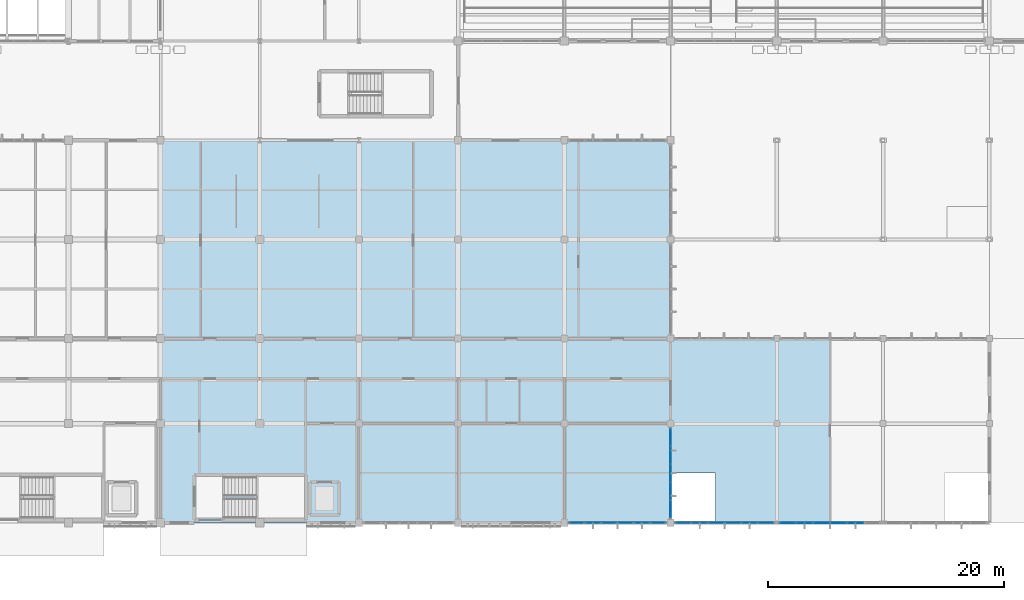
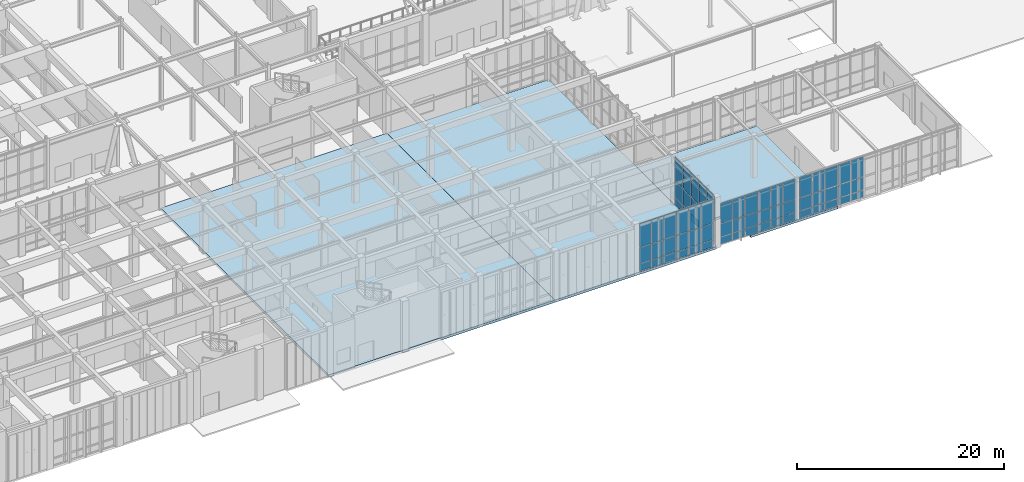
# One storey, part 61 of 110: 66 plates, 3 slabs, 4 elements without a shape of their own.
"""IFC4 building model written with IfcOpenShell, lengths in metres."""

from ifc_helpers import new_model, si_unit, direction, frame, origin, origin_2d, place, context, subcontext, project, spatial, polyline, rectangle, outline, extrude, material, layer, layer_set, type_object, element, aggregate, save


model = new_model("IFC4")

# Units and contexts
model_context = context("Model", 3, precision=1e-05, world=origin(), true_north=direction((0.0, 1.0)))
body_context = subcontext(model_context, "Body", "Model", "MODEL_VIEW")
ifc_project = project(units=[si_unit("LENGTHUNIT", "METRE"), si_unit("AREAUNIT", "SQUARE_METRE"), si_unit("VOLUMEUNIT", "CUBIC_METRE"), si_unit("PLANEANGLEUNIT", "RADIAN"), si_unit("MASSUNIT", "GRAM", prefix="KILO")], contexts=[model_context])

# Site, building, storey
site_placement = place(None, origin())
site = spatial("IfcSite", under=ifc_project, at=site_placement, CompositionType="ELEMENT")
building_placement = place(site_placement, origin())
building = spatial("IfcBuilding", under=site, at=building_placement, Name="Tizgana Railside Sports Hall", CompositionType="ELEMENT")
storey_placement = place(building_placement, origin())
storey = spatial("IfcBuildingStorey", under=building, at=storey_placement, Name="L00", CompositionType="ELEMENT", Elevation=0.0)

# Curtain wall, plates
ifc_material_1 = material(Name="Anodised aluminium and glass", Category="aluminium")
curtain_wall_type_1 = type_object("IfcCurtainWallType", Name="Unitised Curtain Wall Passage 1800", PredefinedType="NOTDEFINED", material=ifc_material_1)
curtain_wall_1_placement = place(storey_placement, origin())
curtain_wall_1 = element("IfcCurtainWall", 1, at=curtain_wall_1_placement, inside=storey, type_object=curtain_wall_type_1, Name="L00 Curtain Wall CW-0077", PredefinedType="NOTDEFINED")
ifc_material_2 = material(Name="Double low-E laminated glass", Category="glass")
ifc_layer_1 = layer(ifc_material_2, 0.033935546875, Name="Double low-E laminated glass")
ifc_layer_set_1 = layer_set([ifc_layer_1], Name="Double low-E laminated glass")
plate_type_1 = type_object("IfcPlateType", Name="Acoustic Laminated Glazing Panel 34", PredefinedType="CURTAIN_PANEL", material=ifc_layer_set_1)
plate_1_placement = place(storey_placement, frame((96.7353515625, 0.0, 0.10009765625), z_axis=(0.0, 0.0, 1.0), x_axis=(-1.0, 0.0, 0.0)))
plate_1 = element("IfcPlate", 2, at=plate_1_placement, type_object=plate_type_1, Name="CW-06 panel 1.1", PredefinedType="CURTAIN_PANEL", context=body_context, shape_type="SweptSolid", body=[
    extrude(rectangle(XDim=1.269287109375, YDim=0.033935546875, at=origin_2d()), origin(), (0.0, 0.0, 1.0), 0.8173828125),
])
plate_2_placement = place(storey_placement, frame((96.7353515625, 0.0, 0.972412109375), z_axis=(0.0, 0.0, 1.0), x_axis=(-1.0, 0.0, 0.0)))
plate_2 = element("IfcPlate", 3, at=plate_2_placement, type_object=plate_type_1, Name="CW-06 panel 1.2", PredefinedType="CURTAIN_PANEL", context=body_context, shape_type="SweptSolid", body=[
    extrude(rectangle(XDim=1.269287109375, YDim=0.033935546875, at=origin_2d()), origin(), (0.0, 0.0, 1.0), 1.8974609375),
])
plate_3_placement = place(storey_placement, frame((96.7353515625, 0.0, 2.925048828125), z_axis=(0.0, 0.0, 1.0), x_axis=(-1.0, 0.0, 0.0)))
plate_3 = element("IfcPlate", 4, at=plate_3_placement, type_object=plate_type_1, Name="CW-06 panel 1.3", PredefinedType="CURTAIN_PANEL", context=body_context, shape_type="SweptSolid", body=[
    extrude(rectangle(XDim=1.269287109375, YDim=0.033935546875, at=origin_2d()), origin(), (0.0, 0.0, 1.0), 2.77001953125),
])
plate_4_placement = place(storey_placement, frame((95.37255859375, 0.0, 0.10009765625), z_axis=(0.0, 0.0, 1.0), x_axis=(-1.0, 0.0, 0.0)))
plate_4 = element("IfcPlate", 5, at=plate_4_placement, type_object=plate_type_1, Name="CW-06 panel 2.1", PredefinedType="CURTAIN_PANEL", context=body_context, shape_type="SweptSolid", body=[
    extrude(rectangle(XDim=1.306640625, YDim=0.033935546875, at=origin_2d()), origin(), (0.0, 0.0, 1.0), 0.8173828125),
])
plate_5_placement = place(storey_placement, frame((95.37255859375, 0.0, 0.972412109375), z_axis=(0.0, 0.0, 1.0), x_axis=(-1.0, 0.0, 0.0)))
plate_5 = element("IfcPlate", 6, at=plate_5_placement, type_object=plate_type_1, Name="CW-06 panel 2.2", PredefinedType="CURTAIN_PANEL", context=body_context, shape_type="SweptSolid", body=[
    extrude(rectangle(XDim=1.306640625, YDim=0.033935546875, at=origin_2d()), origin(), (0.0, 0.0, 1.0), 1.8974609375),
])
plate_6_placement = place(storey_placement, frame((95.37255859375, 0.0, 2.925048828125), z_axis=(0.0, 0.0, 1.0), x_axis=(-1.0, 0.0, 0.0)))
plate_6 = element("IfcPlate", 7, at=plate_6_placement, type_object=plate_type_1, Name="CW-06 panel 2.3", PredefinedType="CURTAIN_PANEL", context=body_context, shape_type="SweptSolid", body=[
    extrude(rectangle(XDim=1.306640625, YDim=0.033935546875, at=origin_2d()), origin(), (0.0, 0.0, 1.0), 2.77001953125),
])
plate_7_placement = place(storey_placement, frame((93.99072265625, 0.0, 0.10009765625), z_axis=(0.0, 0.0, 1.0), x_axis=(-1.0, 0.0, 0.0)))
plate_7 = element("IfcPlate", 8, at=plate_7_placement, type_object=plate_type_1, Name="CW-06 panel 3.1", PredefinedType="CURTAIN_PANEL", context=body_context, shape_type="SweptSolid", body=[
    extrude(rectangle(XDim=1.306640625, YDim=0.033935546875, at=origin_2d()), origin(), (0.0, 0.0, 1.0), 0.8173828125),
])
plate_8_placement = place(storey_placement, frame((93.99072265625, 0.0, 0.972412109375), z_axis=(0.0, 0.0, 1.0), x_axis=(-1.0, 0.0, 0.0)))
plate_8 = element("IfcPlate", 9, at=plate_8_placement, type_object=plate_type_1, Name="CW-06 panel 3.2", PredefinedType="CURTAIN_PANEL", context=body_context, shape_type="SweptSolid", body=[
    extrude(rectangle(XDim=1.306640625, YDim=0.033935546875, at=origin_2d()), origin(), (0.0, 0.0, 1.0), 1.8974609375),
])
plate_9_placement = place(storey_placement, frame((93.99072265625, 0.0, 2.925048828125), z_axis=(0.0, 0.0, 1.0), x_axis=(-1.0, 0.0, 0.0)))
plate_9 = element("IfcPlate", 10, at=plate_9_placement, type_object=plate_type_1, Name="CW-06 panel 3.3", PredefinedType="CURTAIN_PANEL", context=body_context, shape_type="SweptSolid", body=[
    extrude(rectangle(XDim=1.306640625, YDim=0.033935546875, at=origin_2d()), origin(), (0.0, 0.0, 1.0), 2.77001953125),
])
plate_10_placement = place(storey_placement, frame((92.609130859375, 0.0, 0.10009765625), z_axis=(0.0, 0.0, 1.0), x_axis=(-1.0, 0.0, 0.0)))
plate_10 = element("IfcPlate", 11, at=plate_10_placement, type_object=plate_type_1, Name="CW-06 panel 4.1", PredefinedType="CURTAIN_PANEL", context=body_context, shape_type="SweptSolid", body=[
    extrude(rectangle(XDim=1.306640625, YDim=0.033935546875, at=origin_2d()), origin(), (0.0, 0.0, 1.0), 0.8173828125),
])
plate_11_placement = place(storey_placement, frame((92.609130859375, 0.0, 0.972412109375), z_axis=(0.0, 0.0, 1.0), x_axis=(-1.0, 0.0, 0.0)))
plate_11 = element("IfcPlate", 12, at=plate_11_placement, type_object=plate_type_1, Name="CW-06 panel 4.2", PredefinedType="CURTAIN_PANEL", context=body_context, shape_type="SweptSolid", body=[
    extrude(rectangle(XDim=1.306640625, YDim=0.033935546875, at=origin_2d()), origin(), (0.0, 0.0, 1.0), 1.8974609375),
])
plate_12_placement = place(storey_placement, frame((92.609130859375, 0.0, 2.925048828125), z_axis=(0.0, 0.0, 1.0), x_axis=(-1.0, 0.0, 0.0)))
plate_12 = element("IfcPlate", 13, at=plate_12_placement, type_object=plate_type_1, Name="CW-06 panel 4.3", PredefinedType="CURTAIN_PANEL", context=body_context, shape_type="SweptSolid", body=[
    extrude(rectangle(XDim=1.306640625, YDim=0.033935546875, at=origin_2d()), origin(), (0.0, 0.0, 1.0), 2.77001953125),
])
plate_13_placement = place(storey_placement, frame((91.2275390625, 0.0, 0.10009765625), z_axis=(0.0, 0.0, 1.0), x_axis=(-1.0, 0.0, 0.0)))
plate_13 = element("IfcPlate", 14, at=plate_13_placement, type_object=plate_type_1, Name="CW-06 panel 5.1", PredefinedType="CURTAIN_PANEL", context=body_context, shape_type="SweptSolid", body=[
    extrude(rectangle(XDim=1.306640625, YDim=0.033935546875, at=origin_2d()), origin(), (0.0, 0.0, 1.0), 0.8173828125),
])
plate_14_placement = place(storey_placement, frame((91.2275390625, 0.0, 0.972412109375), z_axis=(0.0, 0.0, 1.0), x_axis=(-1.0, 0.0, 0.0)))
plate_14 = element("IfcPlate", 15, at=plate_14_placement, type_object=plate_type_1, Name="CW-06 panel 5.2", PredefinedType="CURTAIN_PANEL", context=body_context, shape_type="SweptSolid", body=[
    extrude(rectangle(XDim=1.306640625, YDim=0.033935546875, at=origin_2d()), origin(), (0.0, 0.0, 1.0), 1.8974609375),
])
plate_15_placement = place(storey_placement, frame((91.2275390625, 0.0, 2.925048828125), z_axis=(0.0, 0.0, 1.0), x_axis=(-1.0, 0.0, 0.0)))
plate_15 = element("IfcPlate", 16, at=plate_15_placement, type_object=plate_type_1, Name="CW-06 panel 5.3", PredefinedType="CURTAIN_PANEL", context=body_context, shape_type="SweptSolid", body=[
    extrude(rectangle(XDim=1.306640625, YDim=0.033935546875, at=origin_2d()), origin(), (0.0, 0.0, 1.0), 2.77001953125),
])
plate_16_placement = place(storey_placement, frame((89.864501953125, 0.0, 0.10009765625), z_axis=(0.0, 0.0, 1.0), x_axis=(-1.0, 0.0, 0.0)))
plate_16 = element("IfcPlate", 17, at=plate_16_placement, type_object=plate_type_1, Name="CW-06 panel 6.1", PredefinedType="CURTAIN_PANEL", context=body_context, shape_type="SweptSolid", body=[
    extrude(rectangle(XDim=1.269287109375, YDim=0.033935546875, at=origin_2d()), origin(), (0.0, 0.0, 1.0), 0.8173828125),
])
plate_17_placement = place(storey_placement, frame((89.864501953125, 0.0, 0.972412109375), z_axis=(0.0, 0.0, 1.0), x_axis=(-1.0, 0.0, 0.0)))
plate_17 = element("IfcPlate", 18, at=plate_17_placement, type_object=plate_type_1, Name="CW-06 panel 6.2", PredefinedType="CURTAIN_PANEL", context=body_context, shape_type="SweptSolid", body=[
    extrude(rectangle(XDim=1.269287109375, YDim=0.033935546875, at=origin_2d()), origin(), (0.0, 0.0, 1.0), 1.8974609375),
])
plate_18_placement = place(storey_placement, frame((89.864501953125, 0.0, 2.925048828125), z_axis=(0.0, 0.0, 1.0), x_axis=(-1.0, 0.0, 0.0)))
plate_18 = element("IfcPlate", 19, at=plate_18_placement, type_object=plate_type_1, Name="CW-06 panel 6.3", PredefinedType="CURTAIN_PANEL", context=body_context, shape_type="SweptSolid", body=[
    extrude(rectangle(XDim=1.269287109375, YDim=0.033935546875, at=origin_2d()), origin(), (0.0, 0.0, 1.0), 2.77001953125),
])
aggregate(curtain_wall_1, [plate_1, plate_2, plate_3, plate_4, plate_5, plate_6, plate_7, plate_8, plate_9, plate_10, plate_11, plate_12, plate_13, plate_14, plate_15, plate_16, plate_17, plate_18])

# Slabs
ifc_material_3 = material(Name="Concrete C35/45", Category="concrete")
ifc_layer_2 = layer(ifc_material_3, 0.2900390625, Name="Concrete C35/45")
ifc_layer_set_2 = layer_set([ifc_layer_2], Name="Concrete C35/45")
slab_type = type_object("IfcSlabType", Name="Ground Bearing Wing Slab 290", PredefinedType="BASESLAB", material=ifc_layer_set_2)
slab_1_placement = place(storey_placement, frame((0.0, 0.0, -0.2900390625)))
element("IfcSlab", 20, at=slab_1_placement, inside=storey, type_object=slab_type, Name="L00 V5 Central Ground Slab SLB-0011", PredefinedType="BASESLAB", context=body_context, shape_type="SweptSolid", body=[
    extrude(outline(polyline([(54.60009765625, 0.0), (79.800048828125, 0.0), (79.800048828125, 32.39990234375), (54.60009765625, 32.39990234375), (54.60009765625, 0.0)])), origin(), (0.0, 0.0, 1.0), 0.2900390625),
])
slab_2_placement = place(storey_placement, frame((0.0, 0.0, -0.2900390625)))
element("IfcSlab", 21, at=slab_2_placement, inside=storey, type_object=slab_type, Name="L00 V5 East Ground Slab SLB-0012", PredefinedType="BASESLAB", context=body_context, shape_type="SweptSolid", body=[
    extrude(outline(polyline([(79.800048828125, 0.0), (97.800048828125, 0.0), (97.800048828125, 32.39990234375), (79.800048828125, 32.39990234375), (79.800048828125, 0.0)])), origin(), (0.0, 0.0, 1.0), 0.2900390625),
])
slab_3_placement = place(storey_placement, frame((0.0, 0.0, -0.2900390625)))
element("IfcSlab", 22, at=slab_3_placement, inside=storey, type_object=slab_type, Name="L00 SE Welcome Wing West Floor SLB-0111", PredefinedType="BASESLAB", context=body_context, shape_type="SweptSolid", body=[
    extrude(outline(polyline([(101.60009765625, 0.0), (111.300048828125, 0.0), (111.300048828125, 15.60009765625), (97.800048828125, 15.60009765625), (97.800048828125, 4.199951171875), (101.60009765625, 4.199951171875), (101.60009765625, 0.0)])), origin(), (0.0, 0.0, 1.0), 0.2900390625),
])

# Curtain wall, plates
curtain_wall_type_2 = type_object("IfcCurtainWallType", Name="Unitised Curtain Wall WestHall 1560", PredefinedType="NOTDEFINED", material=ifc_material_1)
curtain_wall_2_placement = place(storey_placement, origin())
curtain_wall_2 = element("IfcCurtainWall", 23, at=curtain_wall_2_placement, inside=storey, type_object=curtain_wall_type_2, Name="L00 Curtain Wall CW-0086", PredefinedType="NOTDEFINED")
ifc_layer_3 = layer(ifc_material_2, 0.0400390625, Name="Double low-E laminated glass")
ifc_layer_set_3 = layer_set([ifc_layer_3], Name="Double low-E laminated glass")
plate_type_2 = type_object("IfcPlateType", Name="High-Span Tempered Glazing Panel 40", PredefinedType="CURTAIN_PANEL", material=ifc_layer_set_3)
plate_19_placement = place(storey_placement, frame((97.800048828125, 7.260986328125, 0.10498046875), z_axis=(0.0, 0.0, 1.0), x_axis=(0.0, -1.0, 0.0)))
plate_19 = element("IfcPlate", 24, at=plate_19_placement, type_object=plate_type_2, Name="CW-07 panel 1.1", PredefinedType="CURTAIN_PANEL", context=body_context, shape_type="SweptSolid", body=[
    extrude(rectangle(XDim=1.447998046875, YDim=0.0400390625, at=origin_2d()), origin(), (0.0, 0.0, 1.0), 0.81005859375),
])
plate_20_placement = place(storey_placement, frame((97.800048828125, 7.260986328125, 0.974853515625), z_axis=(0.0, 0.0, 1.0), x_axis=(0.0, -1.0, 0.0)))
plate_20 = element("IfcPlate", 25, at=plate_20_placement, type_object=plate_type_2, Name="CW-07 panel 1.2", PredefinedType="CURTAIN_PANEL", context=body_context, shape_type="SweptSolid", body=[
    extrude(rectangle(XDim=1.447998046875, YDim=0.0400390625, at=origin_2d()), origin(), (0.0, 0.0, 1.0), 1.892578125),
])
plate_21_placement = place(storey_placement, frame((97.800048828125, 7.260986328125, 2.927734375), z_axis=(0.0, 0.0, 1.0), x_axis=(0.0, -1.0, 0.0)))
plate_21 = element("IfcPlate", 26, at=plate_21_placement, type_object=plate_type_2, Name="CW-07 panel 1.3", PredefinedType="CURTAIN_PANEL", context=body_context, shape_type="SweptSolid", body=[
    extrude(rectangle(XDim=1.447998046875, YDim=0.0400390625, at=origin_2d()), origin(), (0.0, 0.0, 1.0), 2.762451171875),
])
plate_22_placement = place(storey_placement, frame((97.800048828125, 5.738037109375, 0.10498046875), z_axis=(0.0, 0.0, 1.0), x_axis=(0.0, -1.0, 0.0)))
plate_22 = element("IfcPlate", 27, at=plate_22_placement, type_object=plate_type_2, Name="CW-07 panel 2.1", PredefinedType="CURTAIN_PANEL", context=body_context, shape_type="SweptSolid", body=[
    extrude(rectangle(XDim=1.47802734375, YDim=0.0400390625, at=origin_2d()), origin(), (0.0, 0.0, 1.0), 0.81005859375),
])
plate_23_placement = place(storey_placement, frame((97.800048828125, 5.738037109375, 0.974853515625), z_axis=(0.0, 0.0, 1.0), x_axis=(0.0, -1.0, 0.0)))
plate_23 = element("IfcPlate", 28, at=plate_23_placement, type_object=plate_type_2, Name="CW-07 panel 2.2", PredefinedType="CURTAIN_PANEL", context=body_context, shape_type="SweptSolid", body=[
    extrude(rectangle(XDim=1.47802734375, YDim=0.0400390625, at=origin_2d()), origin(), (0.0, 0.0, 1.0), 1.892578125),
])
plate_24_placement = place(storey_placement, frame((97.800048828125, 5.738037109375, 2.927734375), z_axis=(0.0, 0.0, 1.0), x_axis=(0.0, -1.0, 0.0)))
plate_24 = element("IfcPlate", 29, at=plate_24_placement, type_object=plate_type_2, Name="CW-07 panel 2.3", PredefinedType="CURTAIN_PANEL", context=body_context, shape_type="SweptSolid", body=[
    extrude(rectangle(XDim=1.47802734375, YDim=0.0400390625, at=origin_2d()), origin(), (0.0, 0.0, 1.0), 2.762451171875),
])
plate_25_placement = place(storey_placement, frame((97.800048828125, 4.199951171875, 0.10498046875), z_axis=(0.0, 0.0, 1.0), x_axis=(0.0, -1.0, 0.0)))
plate_25 = element("IfcPlate", 30, at=plate_25_placement, type_object=plate_type_2, Name="CW-07 panel 3.1", PredefinedType="CURTAIN_PANEL", context=body_context, shape_type="SweptSolid", body=[
    extrude(rectangle(XDim=1.47802734375, YDim=0.0400390625, at=origin_2d()), origin(), (0.0, 0.0, 1.0), 0.81005859375),
])
plate_26_placement = place(storey_placement, frame((97.800048828125, 4.199951171875, 0.974853515625), z_axis=(0.0, 0.0, 1.0), x_axis=(0.0, -1.0, 0.0)))
plate_26 = element("IfcPlate", 31, at=plate_26_placement, type_object=plate_type_2, Name="CW-07 panel 3.2", PredefinedType="CURTAIN_PANEL", context=body_context, shape_type="SweptSolid", body=[
    extrude(rectangle(XDim=1.47802734375, YDim=0.0400390625, at=origin_2d()), origin(), (0.0, 0.0, 1.0), 1.892578125),
])
plate_27_placement = place(storey_placement, frame((97.800048828125, 4.199951171875, 2.927734375), z_axis=(0.0, 0.0, 1.0), x_axis=(0.0, -1.0, 0.0)))
plate_27 = element("IfcPlate", 32, at=plate_27_placement, type_object=plate_type_2, Name="CW-07 panel 3.3", PredefinedType="CURTAIN_PANEL", context=body_context, shape_type="SweptSolid", body=[
    extrude(rectangle(XDim=1.47802734375, YDim=0.0400390625, at=origin_2d()), origin(), (0.0, 0.0, 1.0), 2.762451171875),
])
plate_28_placement = place(storey_placement, frame((97.800048828125, 2.662109375, 0.10498046875), z_axis=(0.0, 0.0, 1.0), x_axis=(0.0, -1.0, 0.0)))
plate_28 = element("IfcPlate", 33, at=plate_28_placement, type_object=plate_type_2, Name="CW-07 panel 4.1", PredefinedType="CURTAIN_PANEL", context=body_context, shape_type="SweptSolid", body=[
    extrude(rectangle(XDim=1.47802734375, YDim=0.0400390625, at=origin_2d()), origin(), (0.0, 0.0, 1.0), 0.81005859375),
])
plate_29_placement = place(storey_placement, frame((97.800048828125, 2.662109375, 0.974853515625), z_axis=(0.0, 0.0, 1.0), x_axis=(0.0, -1.0, 0.0)))
plate_29 = element("IfcPlate", 34, at=plate_29_placement, type_object=plate_type_2, Name="CW-07 panel 4.2", PredefinedType="CURTAIN_PANEL", context=body_context, shape_type="SweptSolid", body=[
    extrude(rectangle(XDim=1.47802734375, YDim=0.0400390625, at=origin_2d()), origin(), (0.0, 0.0, 1.0), 1.892578125),
])
plate_30_placement = place(storey_placement, frame((97.800048828125, 2.662109375, 2.927734375), z_axis=(0.0, 0.0, 1.0), x_axis=(0.0, -1.0, 0.0)))
plate_30 = element("IfcPlate", 35, at=plate_30_placement, type_object=plate_type_2, Name="CW-07 panel 4.3", PredefinedType="CURTAIN_PANEL", context=body_context, shape_type="SweptSolid", body=[
    extrude(rectangle(XDim=1.47802734375, YDim=0.0400390625, at=origin_2d()), origin(), (0.0, 0.0, 1.0), 2.762451171875),
])
plate_31_placement = place(storey_placement, frame((97.800048828125, 1.138916015625, 0.10498046875), z_axis=(0.0, 0.0, 1.0), x_axis=(0.0, -1.0, 0.0)))
plate_31 = element("IfcPlate", 36, at=plate_31_placement, type_object=plate_type_2, Name="CW-07 panel 5.1", PredefinedType="CURTAIN_PANEL", context=body_context, shape_type="SweptSolid", body=[
    extrude(rectangle(XDim=1.447998046875, YDim=0.0400390625, at=origin_2d()), origin(), (0.0, 0.0, 1.0), 0.81005859375),
])
plate_32_placement = place(storey_placement, frame((97.800048828125, 1.138916015625, 0.974853515625), z_axis=(0.0, 0.0, 1.0), x_axis=(0.0, -1.0, 0.0)))
plate_32 = element("IfcPlate", 37, at=plate_32_placement, type_object=plate_type_2, Name="CW-07 panel 5.2", PredefinedType="CURTAIN_PANEL", context=body_context, shape_type="SweptSolid", body=[
    extrude(rectangle(XDim=1.447998046875, YDim=0.0400390625, at=origin_2d()), origin(), (0.0, 0.0, 1.0), 1.892578125),
])
plate_33_placement = place(storey_placement, frame((97.800048828125, 1.138916015625, 2.927734375), z_axis=(0.0, 0.0, 1.0), x_axis=(0.0, -1.0, 0.0)))
plate_33 = element("IfcPlate", 38, at=plate_33_placement, type_object=plate_type_2, Name="CW-07 panel 5.3", PredefinedType="CURTAIN_PANEL", context=body_context, shape_type="SweptSolid", body=[
    extrude(rectangle(XDim=1.447998046875, YDim=0.0400390625, at=origin_2d()), origin(), (0.0, 0.0, 1.0), 2.762451171875),
])
aggregate(curtain_wall_2, [plate_19, plate_20, plate_21, plate_22, plate_23, plate_24, plate_25, plate_26, plate_27, plate_28, plate_29, plate_30, plate_31, plate_32, plate_33])

curtain_wall_type_3 = type_object("IfcCurtainWallType", Name="Unitised Curtain Wall Studio 1400", PredefinedType="NOTDEFINED", material=ifc_material_1)
curtain_wall_3_placement = place(storey_placement, origin())
curtain_wall_3 = element("IfcCurtainWall", 39, at=curtain_wall_3_placement, inside=storey, type_object=curtain_wall_type_3, Name="L00 Curtain Wall CW-0154", PredefinedType="NOTDEFINED")
plate_34_placement = place(storey_placement, frame((113.452392578125, 0.0, 0.114990234375), z_axis=(0.0, 0.0, 1.0), x_axis=(-1.0, 0.0, 0.0)))
plate_34 = element("IfcPlate", 40, at=plate_34_placement, type_object=plate_type_2, Name="CW-03 panel 2.1", PredefinedType="CURTAIN_PANEL", context=body_context, shape_type="SweptSolid", body=[
    extrude(rectangle(XDim=1.364990234375, YDim=0.0400390625, at=origin_2d()), origin(), (0.0, 0.0, 1.0), 0.794921875),
])
plate_35_placement = place(storey_placement, frame((113.452392578125, 0.0, 0.97998046875), z_axis=(0.0, 0.0, 1.0), x_axis=(-1.0, 0.0, 0.0)))
plate_35 = element("IfcPlate", 41, at=plate_35_placement, type_object=plate_type_2, Name="CW-03 panel 2.2", PredefinedType="CURTAIN_PANEL", context=body_context, shape_type="SweptSolid", body=[
    extrude(rectangle(XDim=1.364990234375, YDim=0.0400390625, at=origin_2d()), origin(), (0.0, 0.0, 1.0), 1.487548828125),
])
plate_36_placement = place(storey_placement, frame((113.452392578125, 0.0, 2.53759765625), z_axis=(0.0, 0.0, 1.0), x_axis=(-1.0, 0.0, 0.0)))
plate_36 = element("IfcPlate", 42, at=plate_36_placement, type_object=plate_type_2, Name="CW-03 panel 2.3", PredefinedType="CURTAIN_PANEL", context=body_context, shape_type="SweptSolid", body=[
    extrude(rectangle(XDim=1.364990234375, YDim=0.0400390625, at=origin_2d()), origin(), (0.0, 0.0, 1.0), 2.3525390625),
])
plate_37_placement = place(storey_placement, frame((112.017578125, 0.0, 0.114990234375), z_axis=(0.0, 0.0, 1.0), x_axis=(-1.0, 0.0, 0.0)))
plate_37 = element("IfcPlate", 43, at=plate_37_placement, type_object=plate_type_2, Name="CW-03 panel 3.1", PredefinedType="CURTAIN_PANEL", context=body_context, shape_type="SweptSolid", body=[
    extrude(rectangle(XDim=1.364990234375, YDim=0.0400390625, at=origin_2d()), origin(), (0.0, 0.0, 1.0), 0.794921875),
])
plate_38_placement = place(storey_placement, frame((112.017578125, 0.0, 0.97998046875), z_axis=(0.0, 0.0, 1.0), x_axis=(-1.0, 0.0, 0.0)))
plate_38 = element("IfcPlate", 44, at=plate_38_placement, type_object=plate_type_2, Name="CW-03 panel 3.2", PredefinedType="CURTAIN_PANEL", context=body_context, shape_type="SweptSolid", body=[
    extrude(rectangle(XDim=1.364990234375, YDim=0.0400390625, at=origin_2d()), origin(), (0.0, 0.0, 1.0), 1.487548828125),
])
plate_39_placement = place(storey_placement, frame((112.017578125, 0.0, 2.53759765625), z_axis=(0.0, 0.0, 1.0), x_axis=(-1.0, 0.0, 0.0)))
plate_39 = element("IfcPlate", 45, at=plate_39_placement, type_object=plate_type_2, Name="CW-03 panel 3.3", PredefinedType="CURTAIN_PANEL", context=body_context, shape_type="SweptSolid", body=[
    extrude(rectangle(XDim=1.364990234375, YDim=0.0400390625, at=origin_2d()), origin(), (0.0, 0.0, 1.0), 2.3525390625),
])
plate_40_placement = place(storey_placement, frame((110.58251953125, 0.0, 0.114990234375), z_axis=(0.0, 0.0, 1.0), x_axis=(-1.0, 0.0, 0.0)))
plate_40 = element("IfcPlate", 46, at=plate_40_placement, type_object=plate_type_2, Name="CW-03 panel 4.1", PredefinedType="CURTAIN_PANEL", context=body_context, shape_type="SweptSolid", body=[
    extrude(rectangle(XDim=1.364990234375, YDim=0.0400390625, at=origin_2d()), origin(), (0.0, 0.0, 1.0), 0.794921875),
])
plate_41_placement = place(storey_placement, frame((110.58251953125, 0.0, 0.97998046875), z_axis=(0.0, 0.0, 1.0), x_axis=(-1.0, 0.0, 0.0)))
plate_41 = element("IfcPlate", 47, at=plate_41_placement, type_object=plate_type_2, Name="CW-03 panel 4.2", PredefinedType="CURTAIN_PANEL", context=body_context, shape_type="SweptSolid", body=[
    extrude(rectangle(XDim=1.364990234375, YDim=0.0400390625, at=origin_2d()), origin(), (0.0, 0.0, 1.0), 1.487548828125),
])
plate_42_placement = place(storey_placement, frame((110.58251953125, 0.0, 2.53759765625), z_axis=(0.0, 0.0, 1.0), x_axis=(-1.0, 0.0, 0.0)))
plate_42 = element("IfcPlate", 48, at=plate_42_placement, type_object=plate_type_2, Name="CW-03 panel 4.3", PredefinedType="CURTAIN_PANEL", context=body_context, shape_type="SweptSolid", body=[
    extrude(rectangle(XDim=1.364990234375, YDim=0.0400390625, at=origin_2d()), origin(), (0.0, 0.0, 1.0), 2.3525390625),
])
plate_43_placement = place(storey_placement, frame((109.1474609375, 0.0, 0.114990234375), z_axis=(0.0, 0.0, 1.0), x_axis=(-1.0, 0.0, 0.0)))
plate_43 = element("IfcPlate", 49, at=plate_43_placement, type_object=plate_type_2, Name="CW-03 panel 5.1", PredefinedType="CURTAIN_PANEL", context=body_context, shape_type="SweptSolid", body=[
    extrude(rectangle(XDim=1.364990234375, YDim=0.0400390625, at=origin_2d()), origin(), (0.0, 0.0, 1.0), 0.794921875),
])
plate_44_placement = place(storey_placement, frame((109.1474609375, 0.0, 0.97998046875), z_axis=(0.0, 0.0, 1.0), x_axis=(-1.0, 0.0, 0.0)))
plate_44 = element("IfcPlate", 50, at=plate_44_placement, type_object=plate_type_2, Name="CW-03 panel 5.2", PredefinedType="CURTAIN_PANEL", context=body_context, shape_type="SweptSolid", body=[
    extrude(rectangle(XDim=1.364990234375, YDim=0.0400390625, at=origin_2d()), origin(), (0.0, 0.0, 1.0), 1.487548828125),
])
plate_45_placement = place(storey_placement, frame((109.1474609375, 0.0, 2.53759765625), z_axis=(0.0, 0.0, 1.0), x_axis=(-1.0, 0.0, 0.0)))
plate_45 = element("IfcPlate", 51, at=plate_45_placement, type_object=plate_type_2, Name="CW-03 panel 5.3", PredefinedType="CURTAIN_PANEL", context=body_context, shape_type="SweptSolid", body=[
    extrude(rectangle(XDim=1.364990234375, YDim=0.0400390625, at=origin_2d()), origin(), (0.0, 0.0, 1.0), 2.3525390625),
])
plate_46_placement = place(storey_placement, frame((107.72998046875, 0.0, 0.114990234375), z_axis=(0.0, 0.0, 1.0), x_axis=(-1.0, 0.0, 0.0)))
plate_46 = element("IfcPlate", 52, at=plate_46_placement, type_object=plate_type_2, Name="CW-03 panel 6.1", PredefinedType="CURTAIN_PANEL", context=body_context, shape_type="SweptSolid", body=[
    extrude(rectangle(XDim=1.330078125, YDim=0.0400390625, at=origin_2d()), origin(), (0.0, 0.0, 1.0), 0.794921875),
])
plate_47_placement = place(storey_placement, frame((107.72998046875, 0.0, 0.97998046875), z_axis=(0.0, 0.0, 1.0), x_axis=(-1.0, 0.0, 0.0)))
plate_47 = element("IfcPlate", 53, at=plate_47_placement, type_object=plate_type_2, Name="CW-03 panel 6.2", PredefinedType="CURTAIN_PANEL", context=body_context, shape_type="SweptSolid", body=[
    extrude(rectangle(XDim=1.330078125, YDim=0.0400390625, at=origin_2d()), origin(), (0.0, 0.0, 1.0), 1.487548828125),
])
plate_48_placement = place(storey_placement, frame((107.72998046875, 0.0, 2.53759765625), z_axis=(0.0, 0.0, 1.0), x_axis=(-1.0, 0.0, 0.0)))
plate_48 = element("IfcPlate", 54, at=plate_48_placement, type_object=plate_type_2, Name="CW-03 panel 6.3", PredefinedType="CURTAIN_PANEL", context=body_context, shape_type="SweptSolid", body=[
    extrude(rectangle(XDim=1.330078125, YDim=0.0400390625, at=origin_2d()), origin(), (0.0, 0.0, 1.0), 2.3525390625),
])
aggregate(curtain_wall_3, [plate_34, plate_35, plate_36, plate_37, plate_38, plate_39, plate_40, plate_41, plate_42, plate_43, plate_44, plate_45, plate_46, plate_47, plate_48])

curtain_wall_type_4 = type_object("IfcCurtainWallType", Name="Unitised Curtain Wall Concourse 1500", PredefinedType="NOTDEFINED", material=ifc_material_1)
curtain_wall_4_placement = place(storey_placement, origin())
curtain_wall_4 = element("IfcCurtainWall", 55, at=curtain_wall_4_placement, inside=storey, type_object=curtain_wall_type_4, Name="L00 Curtain Wall CW-0152", PredefinedType="NOTDEFINED")
ifc_layer_4 = layer(ifc_material_2, 0.028076171875, Name="Double low-E laminated glass")
ifc_layer_set_4 = layer_set([ifc_layer_4], Name="Double low-E laminated glass")
plate_type_3 = type_object("IfcPlateType", Name="Solar Low-E Glazing Panel 28", PredefinedType="CURTAIN_PANEL", material=ifc_layer_set_4)
plate_49_placement = place(storey_placement, frame((105.8857421875, 0.0, 0.10498046875), z_axis=(0.0, 0.0, 1.0), x_axis=(-1.0, 0.0, 0.0)))
plate_49 = element("IfcPlate", 56, at=plate_49_placement, type_object=plate_type_3, Name="CW-01 panel 1.1", PredefinedType="CURTAIN_PANEL", context=body_context, shape_type="SweptSolid", body=[
    extrude(rectangle(XDim=1.318359375, YDim=0.028076171875, at=origin_2d()), origin(), (0.0, 0.0, 1.0), 0.81005859375),
])
plate_50_placement = place(storey_placement, frame((105.8857421875, 0.0, 0.974853515625), z_axis=(0.0, 0.0, 1.0), x_axis=(-1.0, 0.0, 0.0)))
plate_50 = element("IfcPlate", 57, at=plate_50_placement, type_object=plate_type_3, Name="CW-01 panel 1.2", PredefinedType="CURTAIN_PANEL", context=body_context, shape_type="SweptSolid", body=[
    extrude(rectangle(XDim=1.318359375, YDim=0.028076171875, at=origin_2d()), origin(), (0.0, 0.0, 1.0), 1.49755859375),
])
plate_51_placement = place(storey_placement, frame((105.8857421875, 0.0, 2.53271484375), z_axis=(0.0, 0.0, 1.0), x_axis=(-1.0, 0.0, 0.0)))
plate_51 = element("IfcPlate", 58, at=plate_51_placement, type_object=plate_type_3, Name="CW-01 panel 1.3", PredefinedType="CURTAIN_PANEL", context=body_context, shape_type="SweptSolid", body=[
    extrude(rectangle(XDim=1.318359375, YDim=0.028076171875, at=origin_2d()), origin(), (0.0, 0.0, 1.0), 2.367431640625),
])
plate_52_placement = place(storey_placement, frame((104.492431640625, 0.0, 0.10498046875), z_axis=(0.0, 0.0, 1.0), x_axis=(-1.0, 0.0, 0.0)))
plate_52 = element("IfcPlate", 59, at=plate_52_placement, type_object=plate_type_3, Name="CW-01 panel 2.1", PredefinedType="CURTAIN_PANEL", context=body_context, shape_type="SweptSolid", body=[
    extrude(rectangle(XDim=1.348388671875, YDim=0.028076171875, at=origin_2d()), origin(), (0.0, 0.0, 1.0), 0.81005859375),
])
plate_53_placement = place(storey_placement, frame((104.492431640625, 0.0, 0.974853515625), z_axis=(0.0, 0.0, 1.0), x_axis=(-1.0, 0.0, 0.0)))
plate_53 = element("IfcPlate", 60, at=plate_53_placement, type_object=plate_type_3, Name="CW-01 panel 2.2", PredefinedType="CURTAIN_PANEL", context=body_context, shape_type="SweptSolid", body=[
    extrude(rectangle(XDim=1.348388671875, YDim=0.028076171875, at=origin_2d()), origin(), (0.0, 0.0, 1.0), 1.49755859375),
])
plate_54_placement = place(storey_placement, frame((104.492431640625, 0.0, 2.53271484375), z_axis=(0.0, 0.0, 1.0), x_axis=(-1.0, 0.0, 0.0)))
plate_54 = element("IfcPlate", 61, at=plate_54_placement, type_object=plate_type_3, Name="CW-01 panel 2.3", PredefinedType="CURTAIN_PANEL", context=body_context, shape_type="SweptSolid", body=[
    extrude(rectangle(XDim=1.348388671875, YDim=0.028076171875, at=origin_2d()), origin(), (0.0, 0.0, 1.0), 2.367431640625),
])
plate_55_placement = place(storey_placement, frame((103.084228515625, 0.0, 0.10498046875), z_axis=(0.0, 0.0, 1.0), x_axis=(-1.0, 0.0, 0.0)))
plate_55 = element("IfcPlate", 62, at=plate_55_placement, type_object=plate_type_3, Name="CW-01 panel 3.1", PredefinedType="CURTAIN_PANEL", context=body_context, shape_type="SweptSolid", body=[
    extrude(rectangle(XDim=1.348388671875, YDim=0.028076171875, at=origin_2d()), origin(), (0.0, 0.0, 1.0), 0.81005859375),
])
plate_56_placement = place(storey_placement, frame((103.084228515625, 0.0, 0.974853515625), z_axis=(0.0, 0.0, 1.0), x_axis=(-1.0, 0.0, 0.0)))
plate_56 = element("IfcPlate", 63, at=plate_56_placement, type_object=plate_type_3, Name="CW-01 panel 3.2", PredefinedType="CURTAIN_PANEL", context=body_context, shape_type="SweptSolid", body=[
    extrude(rectangle(XDim=1.348388671875, YDim=0.028076171875, at=origin_2d()), origin(), (0.0, 0.0, 1.0), 1.49755859375),
])
plate_57_placement = place(storey_placement, frame((103.084228515625, 0.0, 2.53271484375), z_axis=(0.0, 0.0, 1.0), x_axis=(-1.0, 0.0, 0.0)))
plate_57 = element("IfcPlate", 64, at=plate_57_placement, type_object=plate_type_3, Name="CW-01 panel 3.3", PredefinedType="CURTAIN_PANEL", context=body_context, shape_type="SweptSolid", body=[
    extrude(rectangle(XDim=1.348388671875, YDim=0.028076171875, at=origin_2d()), origin(), (0.0, 0.0, 1.0), 2.367431640625),
])
plate_58_placement = place(storey_placement, frame((101.67578125, 0.0, 0.10498046875), z_axis=(0.0, 0.0, 1.0), x_axis=(-1.0, 0.0, 0.0)))
plate_58 = element("IfcPlate", 65, at=plate_58_placement, type_object=plate_type_3, Name="CW-01 panel 4.1", PredefinedType="CURTAIN_PANEL", context=body_context, shape_type="SweptSolid", body=[
    extrude(rectangle(XDim=1.348388671875, YDim=0.028076171875, at=origin_2d()), origin(), (0.0, 0.0, 1.0), 0.81005859375),
])
plate_59_placement = place(storey_placement, frame((101.67578125, 0.0, 0.974853515625), z_axis=(0.0, 0.0, 1.0), x_axis=(-1.0, 0.0, 0.0)))
plate_59 = element("IfcPlate", 66, at=plate_59_placement, type_object=plate_type_3, Name="CW-01 panel 4.2", PredefinedType="CURTAIN_PANEL", context=body_context, shape_type="SweptSolid", body=[
    extrude(rectangle(XDim=1.348388671875, YDim=0.028076171875, at=origin_2d()), origin(), (0.0, 0.0, 1.0), 1.49755859375),
])
plate_60_placement = place(storey_placement, frame((101.67578125, 0.0, 2.53271484375), z_axis=(0.0, 0.0, 1.0), x_axis=(-1.0, 0.0, 0.0)))
plate_60 = element("IfcPlate", 67, at=plate_60_placement, type_object=plate_type_3, Name="CW-01 panel 4.3", PredefinedType="CURTAIN_PANEL", context=body_context, shape_type="SweptSolid", body=[
    extrude(rectangle(XDim=1.348388671875, YDim=0.028076171875, at=origin_2d()), origin(), (0.0, 0.0, 1.0), 2.367431640625),
])
plate_61_placement = place(storey_placement, frame((100.267578125, 0.0, 0.10498046875), z_axis=(0.0, 0.0, 1.0), x_axis=(-1.0, 0.0, 0.0)))
plate_61 = element("IfcPlate", 68, at=plate_61_placement, type_object=plate_type_3, Name="CW-01 panel 5.1", PredefinedType="CURTAIN_PANEL", context=body_context, shape_type="SweptSolid", body=[
    extrude(rectangle(XDim=1.348388671875, YDim=0.028076171875, at=origin_2d()), origin(), (0.0, 0.0, 1.0), 0.81005859375),
])
plate_62_placement = place(storey_placement, frame((100.267578125, 0.0, 0.974853515625), z_axis=(0.0, 0.0, 1.0), x_axis=(-1.0, 0.0, 0.0)))
plate_62 = element("IfcPlate", 69, at=plate_62_placement, type_object=plate_type_3, Name="CW-01 panel 5.2", PredefinedType="CURTAIN_PANEL", context=body_context, shape_type="SweptSolid", body=[
    extrude(rectangle(XDim=1.348388671875, YDim=0.028076171875, at=origin_2d()), origin(), (0.0, 0.0, 1.0), 1.49755859375),
])
plate_63_placement = place(storey_placement, frame((100.267578125, 0.0, 2.53271484375), z_axis=(0.0, 0.0, 1.0), x_axis=(-1.0, 0.0, 0.0)))
plate_63 = element("IfcPlate", 70, at=plate_63_placement, type_object=plate_type_3, Name="CW-01 panel 5.3", PredefinedType="CURTAIN_PANEL", context=body_context, shape_type="SweptSolid", body=[
    extrude(rectangle(XDim=1.348388671875, YDim=0.028076171875, at=origin_2d()), origin(), (0.0, 0.0, 1.0), 2.367431640625),
])
plate_64_placement = place(storey_placement, frame((98.874267578125, 0.0, 0.10498046875), z_axis=(0.0, 0.0, 1.0), x_axis=(-1.0, 0.0, 0.0)))
plate_64 = element("IfcPlate", 71, at=plate_64_placement, type_object=plate_type_3, Name="CW-01 panel 6.1", PredefinedType="CURTAIN_PANEL", context=body_context, shape_type="SweptSolid", body=[
    extrude(rectangle(XDim=1.318359375, YDim=0.028076171875, at=origin_2d()), origin(), (0.0, 0.0, 1.0), 0.81005859375),
])
plate_65_placement = place(storey_placement, frame((98.874267578125, 0.0, 0.974853515625), z_axis=(0.0, 0.0, 1.0), x_axis=(-1.0, 0.0, 0.0)))
plate_65 = element("IfcPlate", 72, at=plate_65_placement, type_object=plate_type_3, Name="CW-01 panel 6.2", PredefinedType="CURTAIN_PANEL", context=body_context, shape_type="SweptSolid", body=[
    extrude(rectangle(XDim=1.318359375, YDim=0.028076171875, at=origin_2d()), origin(), (0.0, 0.0, 1.0), 1.49755859375),
])
plate_66_placement = place(storey_placement, frame((98.874267578125, 0.0, 2.53271484375), z_axis=(0.0, 0.0, 1.0), x_axis=(-1.0, 0.0, 0.0)))
plate_66 = element("IfcPlate", 73, at=plate_66_placement, type_object=plate_type_3, Name="CW-01 panel 6.3", PredefinedType="CURTAIN_PANEL", context=body_context, shape_type="SweptSolid", body=[
    extrude(rectangle(XDim=1.318359375, YDim=0.028076171875, at=origin_2d()), origin(), (0.0, 0.0, 1.0), 2.367431640625),
])
aggregate(curtain_wall_4, [plate_49, plate_50, plate_51, plate_52, plate_53, plate_54, plate_55, plate_56, plate_57, plate_58, plate_59, plate_60, plate_61, plate_62, plate_63, plate_64, plate_65, plate_66])

save(model, "model.ifc")
